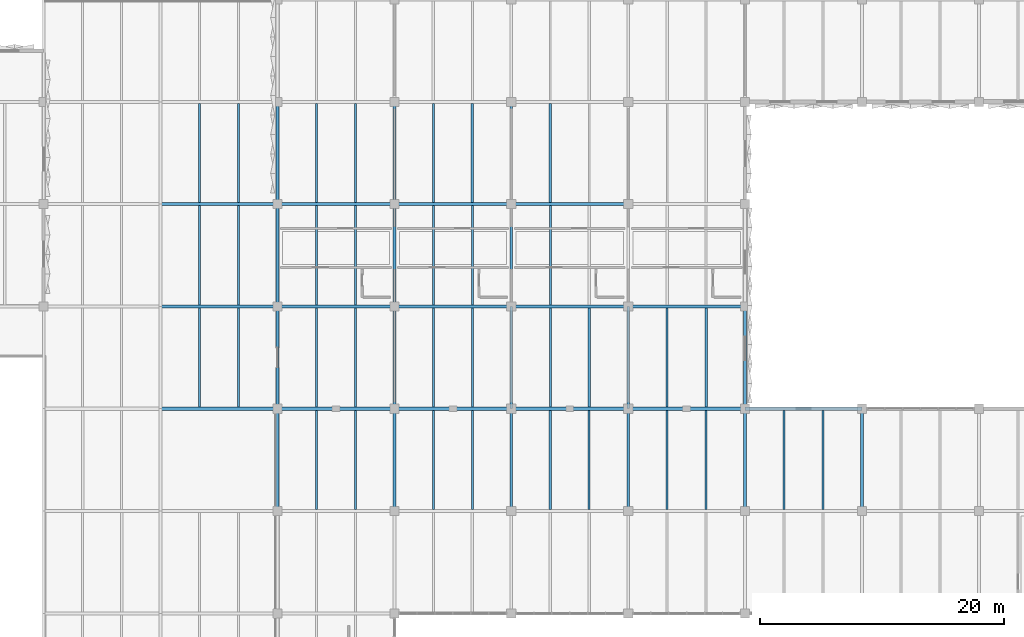
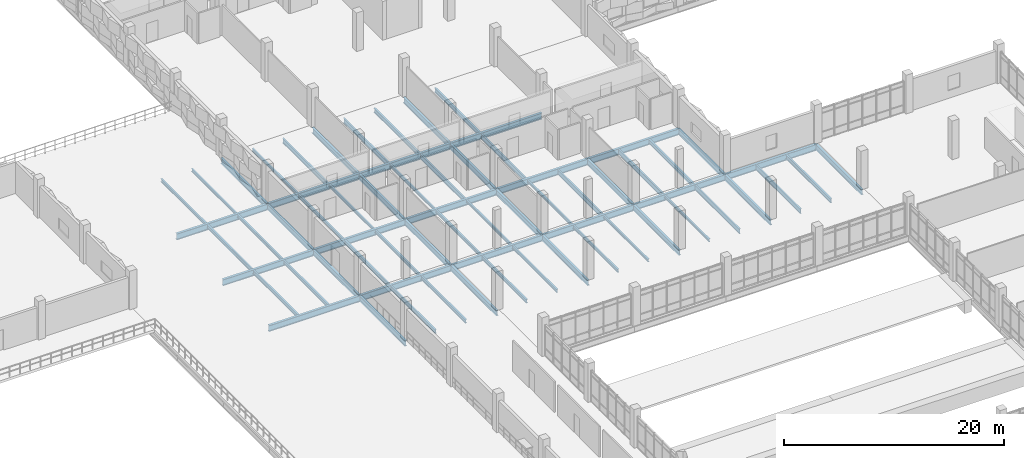
# One storey, part 33 of 86: 66 beams.
"""IFC4 building model written with IfcOpenShell, lengths in metres."""

from ifc_helpers import new_model, si_unit, direction, frame, origin, origin_2d, place, context, subcontext, project, spatial, i_section, extrude, material, material_profile, profile_set, type_object, element, save


model = new_model("IFC4")

# Units and contexts
model_context = context("Model", 3, precision=1e-05, world=origin(), true_north=direction((0.0, 1.0)))
body_context = subcontext(model_context, "Body", "Model", "MODEL_VIEW")
ifc_project = project(units=[si_unit("LENGTHUNIT", "METRE"), si_unit("AREAUNIT", "SQUARE_METRE"), si_unit("VOLUMEUNIT", "CUBIC_METRE"), si_unit("PLANEANGLEUNIT", "RADIAN"), si_unit("MASSUNIT", "GRAM", prefix="KILO")], contexts=[model_context])

# Site, building, storey
site_placement = place(None, origin())
site = spatial("IfcSite", under=ifc_project, at=site_placement, CompositionType="ELEMENT")
building_placement = place(site_placement, origin())
building = spatial("IfcBuilding", under=site, at=building_placement, Name="Oolite Switchyard Hospital", CompositionType="ELEMENT")
storey_placement = place(building_placement, frame((0.0, 0.0, 13.5)))
storey = spatial("IfcBuildingStorey", under=building, at=storey_placement, Name="L03", CompositionType="ELEMENT", Elevation=13.5)

# Beams
ifc_material = material(Name="Steel ASTM A992 Grade 50", Category="steel")
ifc_material_profile_1 = material_profile(ifc_material, i_section(OverallWidth=0.1650390625, OverallDepth=0.31005859375, WebThickness=0.006103515625, FlangeThickness=0.010009765625, at=origin_2d()), Name="W12X26")
ifc_profile_set_1 = profile_set([ifc_material_profile_1], Name="Steel ASTM A992 Grade 50")
beam_type_1 = type_object("IfcBeamType", Name="BM-W12X26", PredefinedType="JOIST", material=ifc_profile_set_1)
for number, where, z_axis, x_axis, name in (
    (1, (131.199951171875, 92.527099609375, -0.445068359375), (0.0, 1.0, 0.0), (-1.0, 0.0, 0.0), "L03 Secondary Steel Joist 2585"),
    (2, (140.800048828125, 84.126953125, -0.429931640625), (0.0, 1.0, 0.0), (-1.0, 0.0, 0.0), "L03 Secondary Steel Joist 2607"),
    (3, (137.60009765625, 92.527099609375, -0.429931640625), (0.0, 1.0, 0.0), (-1.0, 0.0, 0.0), "L03 Secondary Steel Joist 2608"),
    (4, (150.39990234375, 75.72705078125, -0.429931640625), (0.0, 1.0, 0.0), (-1.0, 0.0, 0.0), "L03 Secondary Steel Joist 2625"),
    (5, (147.199951171875, 84.126953125, -0.429931640625), (0.0, 1.0, 0.0), (-1.0, 0.0, 0.0), "L03 Secondary Steel Joist 2626"),
    (6, (160.0, 67.326904296875, -0.429931640625), (0.0, 1.0, 0.0), (-1.0, 0.0, 0.0), "L03 Secondary Steel Joist 2645"),
    (7, (156.800048828125, 75.72705078125, -0.429931640625), (0.0, 1.0, 0.0), (-1.0, 0.0, 0.0), "L03 Secondary Steel Joist 2646"),
    (8, (166.39990234375, 67.326904296875, -0.429931640625), (0.0, 1.0, 0.0), (-1.0, 0.0, 0.0), "L03 Secondary Steel Joist 2664"),
):
    element("IfcBeam", number, at=place(storey_placement, frame(where, z_axis=z_axis, x_axis=x_axis)), inside=storey, type_object=beam_type_1, Name=name, PredefinedType="JOIST", context=body_context, shape_type="SweptSolid", body=[
        extrude(i_section(OverallWidth=0.1650390625, OverallDepth=0.31005859375, WebThickness=0.006103515625, FlangeThickness=0.010009765625, at=origin_2d()), origin(), (0.0, 0.0, 1.0), 8.14599609375),
    ])
ifc_material_profile_2 = material_profile(ifc_material, i_section(OverallWidth=0.1708984375, OverallDepth=0.35107421875, WebThickness=0.007080078125, FlangeThickness=0.010009765625, at=origin_2d()), Name="W14X30")
ifc_profile_set_2 = profile_set([ifc_material_profile_2], Name="Steel ASTM A992 Grade 50")
beam_type_2 = type_object("IfcBeamType", Name="BM-W14X30", PredefinedType="JOIST", material=ifc_profile_set_2)
for number, where, z_axis, x_axis, name in (
    (9, (131.199951171875, 84.126953125, -0.465087890625), (0.0, 1.0, 0.0), (-1.0, 0.0, 0.0), "L03 Secondary Steel Joist 2583"),
    (10, (128.0, 92.527099609375, -0.465087890625), (0.0, 1.0, 0.0), (-1.0, 0.0, 0.0), "L03 Secondary Steel Joist 2584"),
    (11, (140.800048828125, 75.72705078125, -0.449951171875), (0.0, 1.0, 0.0), (-1.0, 0.0, 0.0), "L03 Secondary Steel Joist 2605"),
    (12, (137.60009765625, 84.126953125, -0.449951171875), (0.0, 1.0, 0.0), (-1.0, 0.0, 0.0), "L03 Secondary Steel Joist 2606"),
    (13, (150.39990234375, 67.326904296875, -0.449951171875), (0.0, 1.0, 0.0), (-1.0, 0.0, 0.0), "L03 Secondary Steel Joist 2623"),
    (14, (147.199951171875, 75.72705078125, -0.449951171875), (0.0, 1.0, 0.0), (-1.0, 0.0, 0.0), "L03 Secondary Steel Joist 2624"),
    (15, (156.800048828125, 67.326904296875, -0.449951171875), (0.0, 1.0, 0.0), (-1.0, 0.0, 0.0), "L03 Secondary Steel Joist 2644"),
):
    element("IfcBeam", number, at=place(storey_placement, frame(where, z_axis=z_axis, x_axis=x_axis)), inside=storey, type_object=beam_type_2, Name=name, PredefinedType="JOIST", context=body_context, shape_type="SweptSolid", body=[
        extrude(i_section(OverallWidth=0.1708984375, OverallDepth=0.35107421875, WebThickness=0.007080078125, FlangeThickness=0.010009765625, at=origin_2d()), origin(), (0.0, 0.0, 1.0), 8.14599609375),
    ])
ifc_material_profile_3 = material_profile(ifc_material, i_section(OverallWidth=0.177978515625, OverallDepth=0.403076171875, WebThickness=0.008056640625, FlangeThickness=0.010986328125, at=origin_2d()), Name="W16X36")
ifc_profile_set_3 = profile_set([ifc_material_profile_3], Name="Steel ASTM A992 Grade 50")
beam_type_3 = type_object("IfcBeamType", Name="BM-W16X36", PredefinedType="JOIST", material=ifc_profile_set_3)
for number, where, z_axis, x_axis, name in (
    (16, (131.199951171875, 75.72705078125, -0.490966796875), (0.0, 1.0, 0.0), (-1.0, 0.0, 0.0), "L03 Secondary Steel Joist 2581"),
    (17, (128.0, 84.126953125, -0.490966796875), (0.0, 1.0, 0.0), (-1.0, 0.0, 0.0), "L03 Secondary Steel Joist 2582"),
    (18, (140.800048828125, 67.326904296875, -0.47607421875), (0.0, 1.0, 0.0), (-1.0, 0.0, 0.0), "L03 Secondary Steel Joist 2603"),
    (19, (137.60009765625, 75.72705078125, -0.47607421875), (0.0, 1.0, 0.0), (-1.0, 0.0, 0.0), "L03 Secondary Steel Joist 2604"),
    (20, (147.199951171875, 67.326904296875, -0.47607421875), (0.0, 1.0, 0.0), (-1.0, 0.0, 0.0), "L03 Secondary Steel Joist 2622"),
):
    element("IfcBeam", number, at=place(storey_placement, frame(where, z_axis=z_axis, x_axis=x_axis)), inside=storey, type_object=beam_type_3, Name=name, PredefinedType="JOIST", context=body_context, shape_type="SweptSolid", body=[
        extrude(i_section(OverallWidth=0.177978515625, OverallDepth=0.403076171875, WebThickness=0.008056640625, FlangeThickness=0.010986328125, at=origin_2d()), origin(), (0.0, 0.0, 1.0), 8.14599609375),
    ])
ifc_material_profile_4 = material_profile(ifc_material, i_section(OverallWidth=0.179931640625, OverallDepth=0.4130859375, WebThickness=0.010009765625, FlangeThickness=0.01611328125, at=origin_2d()), Name="W16X50")
ifc_profile_set_4 = profile_set([ifc_material_profile_4], Name="Steel ASTM A992 Grade 50")
beam_type_4 = type_object("IfcBeamType", Name="BM-W16X50", PredefinedType="JOIST", material=ifc_profile_set_4)
for number, where, z_axis, x_axis, name in (
    (21, (128.0, 75.72705078125, -0.49609375), (0.0, 1.0, 0.0), (-1.0, 0.0, 0.0), "L03 Secondary Steel Joist 2580"),
    (22, (137.60009765625, 67.326904296875, -0.48193359375), (0.0, 1.0, 0.0), (-1.0, 0.0, 0.0), "L03 Secondary Steel Joist 2602"),
):
    element("IfcBeam", number, at=place(storey_placement, frame(where, z_axis=z_axis, x_axis=x_axis)), inside=storey, type_object=beam_type_4, Name=name, PredefinedType="JOIST", context=body_context, shape_type="SweptSolid", body=[
        extrude(i_section(OverallWidth=0.179931640625, OverallDepth=0.4130859375, WebThickness=0.010009765625, FlangeThickness=0.01611328125, at=origin_2d()), origin(), (0.0, 0.0, 1.0), 8.14599609375),
    ])
ifc_material_profile_5 = material_profile(ifc_material, i_section(OverallWidth=0.19091796875, OverallDepth=0.4599609375, WebThickness=0.010009765625, FlangeThickness=0.01611328125, at=origin_2d()), Name="W18X55")
ifc_profile_set_5 = profile_set([ifc_material_profile_5], Name="Steel ASTM A992 Grade 50")
beam_type_5 = type_object("IfcBeamType", Name="BM-W18X55", PredefinedType="JOIST", material=ifc_profile_set_5)
for number, where, z_axis, x_axis, name in (
    (23, (150.39990234375, 92.527099609375, -0.5048828125), (0.0, 1.0, 0.0), (-1.0, 0.0, 0.0), "L03 Secondary Steel Joist 2629"),
    (24, (156.800048828125, 92.527099609375, -0.5048828125), (0.0, 1.0, 0.0), (-1.0, 0.0, 0.0), "L03 Secondary Steel Joist 2650"),
    (25, (169.60009765625, 75.72705078125, -0.5048828125), (0.0, 1.0, 0.0), (-1.0, 0.0, 0.0), "L03 Secondary Steel Joist 2667"),
    (26, (179.199951171875, 67.326904296875, -0.5048828125), (0.0, 1.0, 0.0), (-1.0, 0.0, 0.0), "L03 Secondary Steel Joist 2685"),
):
    element("IfcBeam", number, at=place(storey_placement, frame(where, z_axis=z_axis, x_axis=x_axis)), inside=storey, type_object=beam_type_5, Name=name, PredefinedType="JOIST", context=body_context, shape_type="SweptSolid", body=[
        extrude(i_section(OverallWidth=0.19091796875, OverallDepth=0.4599609375, WebThickness=0.010009765625, FlangeThickness=0.01611328125, at=origin_2d()), origin(), (0.0, 0.0, 1.0), 8.14599609375),
    ])
ifc_material_profile_6 = material_profile(ifc_material, i_section(OverallWidth=0.166015625, OverallDepth=0.529052734375, WebThickness=0.010009765625, FlangeThickness=0.013916015625, at=origin_2d()), Name="W21X50")
ifc_profile_set_6 = profile_set([ifc_material_profile_6], Name="Steel ASTM A992 Grade 50")
beam_type_6 = type_object("IfcBeamType", Name="BM-W21X50", PredefinedType="JOIST", material=ifc_profile_set_6)
for number, where, z_axis, x_axis, name in (
    (27, (140.800048828125, 92.527099609375, -0.5400390625), (0.0, 1.0, 0.0), (-1.0, 0.0, 0.0), "L03 Secondary Steel Joist 2609"),
    (28, (150.39990234375, 84.126953125, -0.5400390625), (0.0, 1.0, 0.0), (-1.0, 0.0, 0.0), "L03 Secondary Steel Joist 2627"),
    (29, (147.199951171875, 92.527099609375, -0.5400390625), (0.0, 1.0, 0.0), (-1.0, 0.0, 0.0), "L03 Secondary Steel Joist 2628"),
    (30, (160.0, 75.72705078125, -0.5400390625), (0.0, 1.0, 0.0), (-1.0, 0.0, 0.0), "L03 Secondary Steel Joist 2647"),
    (31, (156.800048828125, 84.126953125, -0.5400390625), (0.0, 1.0, 0.0), (-1.0, 0.0, 0.0), "L03 Secondary Steel Joist 2648"),
    (32, (169.60009765625, 67.326904296875, -0.5400390625), (0.0, 1.0, 0.0), (-1.0, 0.0, 0.0), "L03 Secondary Steel Joist 2665"),
    (33, (166.39990234375, 75.72705078125, -0.5400390625), (0.0, 1.0, 0.0), (-1.0, 0.0, 0.0), "L03 Secondary Steel Joist 2666"),
    (34, (176.0, 67.326904296875, -0.5400390625), (0.0, 1.0, 0.0), (-1.0, 0.0, 0.0), "L03 Secondary Steel Joist 2684"),
):
    element("IfcBeam", number, at=place(storey_placement, frame(where, z_axis=z_axis, x_axis=x_axis)), inside=storey, type_object=beam_type_6, Name=name, PredefinedType="JOIST", context=body_context, shape_type="SweptSolid", body=[
        extrude(i_section(OverallWidth=0.166015625, OverallDepth=0.529052734375, WebThickness=0.010009765625, FlangeThickness=0.013916015625, at=origin_2d()), origin(), (0.0, 0.0, 1.0), 8.14599609375),
    ])
ifc_material_profile_7 = material_profile(ifc_material, i_section(OverallWidth=0.22900390625, OverallDepth=0.612060546875, WebThickness=0.011962890625, FlangeThickness=0.02001953125, at=origin_2d()), Name="W24X84")
ifc_profile_set_7 = profile_set([ifc_material_profile_7], Name="Steel ASTM A992 Grade 50")
beam_type_7 = type_object("IfcBeamType", Name="BM-W24X84", PredefinedType="BEAM", material=ifc_profile_set_7)
beam_1_placement = place(storey_placement, frame((134.39990234375, 67.199951171875, -0.595947265625), z_axis=(0.0, 1.0, 0.0), x_axis=(-1.0, 0.0, 0.0)))
element("IfcBeam", 35, at=beam_1_placement, inside=storey, type_object=beam_type_7, Name="L03 Y-Girder 2287", PredefinedType="BEAM", context=body_context, shape_type="SweptSolid", body=[
    extrude(i_section(OverallWidth=0.22900390625, OverallDepth=0.612060546875, WebThickness=0.011962890625, FlangeThickness=0.02001953125, at=origin_2d()), origin(), (0.0, 0.0, 1.0), 8.400146484375),
])
for number, where, z_axis, x_axis, name in (
    (36, (134.39990234375, 75.60009765625, -0.595947265625), (0.0, 1.0, 0.0), (-1.0, 0.0, 0.0), "L03 Y-Girder 2288"),
    (37, (134.39990234375, 84.0, -0.595947265625), (0.0, 1.0, 0.0), (-1.0, 0.0, 0.0), "L03 Y-Girder 2289"),
):
    element("IfcBeam", number, at=place(storey_placement, frame(where, z_axis=z_axis, x_axis=x_axis)), inside=storey, type_object=beam_type_7, Name=name, PredefinedType="BEAM", context=body_context, shape_type="SweptSolid", body=[
        extrude(i_section(OverallWidth=0.22900390625, OverallDepth=0.612060546875, WebThickness=0.011962890625, FlangeThickness=0.02001953125, at=origin_2d()), origin(), (0.0, 0.0, 1.0), 8.39990234375),
    ])
for number, where, z_axis, x_axis, name in (
    (38, (134.39990234375, 92.39990234375, -0.595947265625), (0.0, 1.0, 0.0), (-1.0, 0.0, 0.0), "L03 Y-Girder 2290"),
    (39, (144.0, 67.199951171875, -0.5810546875), (0.0, 1.0, 0.0), (-1.0, 0.0, 0.0), "L03 Y-Girder 2302"),
):
    element("IfcBeam", number, at=place(storey_placement, frame(where, z_axis=z_axis, x_axis=x_axis)), inside=storey, type_object=beam_type_7, Name=name, PredefinedType="BEAM", context=body_context, shape_type="SweptSolid", body=[
        extrude(i_section(OverallWidth=0.22900390625, OverallDepth=0.612060546875, WebThickness=0.011962890625, FlangeThickness=0.02001953125, at=origin_2d()), origin(), (0.0, 0.0, 1.0), 8.400146484375),
    ])
for number, where, z_axis, x_axis, name in (
    (40, (144.0, 75.60009765625, -0.5810546875), (0.0, 1.0, 0.0), (-1.0, 0.0, 0.0), "L03 Y-Girder 2303"),
    (41, (144.0, 84.0, -0.5810546875), (0.0, 1.0, 0.0), (-1.0, 0.0, 0.0), "L03 Y-Girder 2304"),
):
    element("IfcBeam", number, at=place(storey_placement, frame(where, z_axis=z_axis, x_axis=x_axis)), inside=storey, type_object=beam_type_7, Name=name, PredefinedType="BEAM", context=body_context, shape_type="SweptSolid", body=[
        extrude(i_section(OverallWidth=0.22900390625, OverallDepth=0.612060546875, WebThickness=0.011962890625, FlangeThickness=0.02001953125, at=origin_2d()), origin(), (0.0, 0.0, 1.0), 8.39990234375),
    ])
for number, where, z_axis, x_axis, name in (
    (42, (144.0, 92.39990234375, -0.5810546875), (0.0, 1.0, 0.0), (-1.0, 0.0, 0.0), "L03 Y-Girder 2305"),
    (43, (153.60009765625, 67.199951171875, -0.5810546875), (0.0, 1.0, 0.0), (-1.0, 0.0, 0.0), "L03 Y-Girder 2315"),
):
    element("IfcBeam", number, at=place(storey_placement, frame(where, z_axis=z_axis, x_axis=x_axis)), inside=storey, type_object=beam_type_7, Name=name, PredefinedType="BEAM", context=body_context, shape_type="SweptSolid", body=[
        extrude(i_section(OverallWidth=0.22900390625, OverallDepth=0.612060546875, WebThickness=0.011962890625, FlangeThickness=0.02001953125, at=origin_2d()), origin(), (0.0, 0.0, 1.0), 8.400146484375),
    ])
for number, where, z_axis, x_axis, name in (
    (44, (153.60009765625, 75.60009765625, -0.5810546875), (0.0, 1.0, 0.0), (-1.0, 0.0, 0.0), "L03 Y-Girder 2316"),
    (45, (153.60009765625, 84.0, -0.5810546875), (0.0, 1.0, 0.0), (-1.0, 0.0, 0.0), "L03 Y-Girder 2317"),
):
    element("IfcBeam", number, at=place(storey_placement, frame(where, z_axis=z_axis, x_axis=x_axis)), inside=storey, type_object=beam_type_7, Name=name, PredefinedType="BEAM", context=body_context, shape_type="SweptSolid", body=[
        extrude(i_section(OverallWidth=0.22900390625, OverallDepth=0.612060546875, WebThickness=0.011962890625, FlangeThickness=0.02001953125, at=origin_2d()), origin(), (0.0, 0.0, 1.0), 8.39990234375),
    ])
for number, where, z_axis, x_axis, name in (
    (46, (153.60009765625, 92.39990234375, -0.5810546875), (0.0, 1.0, 0.0), (-1.0, 0.0, 0.0), "L03 Y-Girder 2318"),
    (47, (163.199951171875, 67.199951171875, -0.5810546875), (0.0, 1.0, 0.0), (-1.0, 0.0, 0.0), "L03 Y-Girder 2327"),
):
    element("IfcBeam", number, at=place(storey_placement, frame(where, z_axis=z_axis, x_axis=x_axis)), inside=storey, type_object=beam_type_7, Name=name, PredefinedType="BEAM", context=body_context, shape_type="SweptSolid", body=[
        extrude(i_section(OverallWidth=0.22900390625, OverallDepth=0.612060546875, WebThickness=0.011962890625, FlangeThickness=0.02001953125, at=origin_2d()), origin(), (0.0, 0.0, 1.0), 8.400146484375),
    ])
beam_2_placement = place(storey_placement, frame((163.199951171875, 75.60009765625, -0.5810546875), z_axis=(0.0, 1.0, 0.0), x_axis=(-1.0, 0.0, 0.0)))
element("IfcBeam", 48, at=beam_2_placement, inside=storey, type_object=beam_type_7, Name="L03 Y-Girder 2328", PredefinedType="BEAM", context=body_context, shape_type="SweptSolid", body=[
    extrude(i_section(OverallWidth=0.22900390625, OverallDepth=0.612060546875, WebThickness=0.011962890625, FlangeThickness=0.02001953125, at=origin_2d()), origin(), (0.0, 0.0, 1.0), 8.39990234375),
])
beam_3_placement = place(storey_placement, frame((172.800048828125, 67.199951171875, -0.5810546875), z_axis=(0.0, 1.0, 0.0), x_axis=(-1.0, 0.0, 0.0)))
element("IfcBeam", 49, at=beam_3_placement, inside=storey, type_object=beam_type_7, Name="L03 Y-Girder 2338", PredefinedType="BEAM", context=body_context, shape_type="SweptSolid", body=[
    extrude(i_section(OverallWidth=0.22900390625, OverallDepth=0.612060546875, WebThickness=0.011962890625, FlangeThickness=0.02001953125, at=origin_2d()), origin(), (0.0, 0.0, 1.0), 8.400146484375),
])
beam_4_placement = place(storey_placement, frame((172.800048828125, 75.60009765625, -0.5810546875), z_axis=(0.0, 1.0, 0.0), x_axis=(-1.0, 0.0, 0.0)))
element("IfcBeam", 50, at=beam_4_placement, inside=storey, type_object=beam_type_7, Name="L03 Y-Girder 2339", PredefinedType="BEAM", context=body_context, shape_type="SweptSolid", body=[
    extrude(i_section(OverallWidth=0.22900390625, OverallDepth=0.612060546875, WebThickness=0.011962890625, FlangeThickness=0.02001953125, at=origin_2d()), origin(), (0.0, 0.0, 1.0), 8.39990234375),
])
beam_5_placement = place(storey_placement, frame((182.39990234375, 67.199951171875, -0.5810546875), z_axis=(0.0, 1.0, 0.0), x_axis=(-1.0, 0.0, 0.0)))
element("IfcBeam", 51, at=beam_5_placement, inside=storey, type_object=beam_type_7, Name="L03 Y-Girder 2355", PredefinedType="BEAM", context=body_context, shape_type="SweptSolid", body=[
    extrude(i_section(OverallWidth=0.22900390625, OverallDepth=0.612060546875, WebThickness=0.011962890625, FlangeThickness=0.02001953125, at=origin_2d()), origin(), (0.0, 0.0, 1.0), 8.400146484375),
])
ifc_material_profile_8 = material_profile(ifc_material, i_section(OverallWidth=0.25390625, OverallDepth=0.68408203125, WebThickness=0.011962890625, FlangeThickness=0.01904296875, at=origin_2d()), Name="W27X94")
ifc_profile_set_8 = profile_set([ifc_material_profile_8], Name="Steel ASTM A992 Grade 50")
beam_type_8 = type_object("IfcBeamType", Name="BM-W27X94", PredefinedType="BEAM", material=ifc_profile_set_8)
beam_6_placement = place(storey_placement, frame((124.800048828125, 75.60009765625, -0.632080078125), z_axis=(1.0, 0.0, 0.0), x_axis=(0.0, 1.0, 0.0)))
element("IfcBeam", 52, at=beam_6_placement, inside=storey, type_object=beam_type_8, Name="L03 X-Girder 2030", PredefinedType="BEAM", context=body_context, shape_type="SweptSolid", body=[
    extrude(i_section(OverallWidth=0.25390625, OverallDepth=0.68408203125, WebThickness=0.011962890625, FlangeThickness=0.01904296875, at=origin_2d()), origin(), (0.0, 0.0, 1.0), 9.599853515625),
])
for number, where, z_axis, x_axis, name in (
    (53, (134.39990234375, 75.60009765625, -0.616943359375), (1.0, 0.0, 0.0), (0.0, 1.0, 0.0), "L03 X-Girder 2031"),
    (54, (144.0, 75.60009765625, -0.616943359375), (1.0, 0.0, 0.0), (0.0, 1.0, 0.0), "L03 X-Girder 2032"),
):
    element("IfcBeam", number, at=place(storey_placement, frame(where, z_axis=z_axis, x_axis=x_axis)), inside=storey, type_object=beam_type_8, Name=name, PredefinedType="BEAM", context=body_context, shape_type="SweptSolid", body=[
        extrude(i_section(OverallWidth=0.25390625, OverallDepth=0.68408203125, WebThickness=0.011962890625, FlangeThickness=0.01904296875, at=origin_2d()), origin(), (0.0, 0.0, 1.0), 9.60009765625),
    ])
beam_7_placement = place(storey_placement, frame((153.60009765625, 75.60009765625, -0.616943359375), z_axis=(1.0, 0.0, 0.0), x_axis=(0.0, 1.0, 0.0)))
element("IfcBeam", 55, at=beam_7_placement, inside=storey, type_object=beam_type_8, Name="L03 X-Girder 2033", PredefinedType="BEAM", context=body_context, shape_type="SweptSolid", body=[
    extrude(i_section(OverallWidth=0.25390625, OverallDepth=0.68408203125, WebThickness=0.011962890625, FlangeThickness=0.01904296875, at=origin_2d()), origin(), (0.0, 0.0, 1.0), 9.599853515625),
])
beam_8_placement = place(storey_placement, frame((163.199951171875, 75.60009765625, -0.616943359375), z_axis=(1.0, 0.0, 0.0), x_axis=(0.0, 1.0, 0.0)))
element("IfcBeam", 56, at=beam_8_placement, inside=storey, type_object=beam_type_8, Name="L03 X-Girder 2034", PredefinedType="BEAM", context=body_context, shape_type="SweptSolid", body=[
    extrude(i_section(OverallWidth=0.25390625, OverallDepth=0.68408203125, WebThickness=0.011962890625, FlangeThickness=0.01904296875, at=origin_2d()), origin(), (0.0, 0.0, 1.0), 9.60009765625),
])
for number, where, z_axis, x_axis, name in (
    (57, (172.800048828125, 75.60009765625, -0.616943359375), (1.0, 0.0, 0.0), (0.0, 1.0, 0.0), "L03 X-Girder 2035"),
    (58, (124.800048828125, 84.0, -0.632080078125), (1.0, 0.0, 0.0), (0.0, 1.0, 0.0), "L03 X-Girder 2051"),
):
    element("IfcBeam", number, at=place(storey_placement, frame(where, z_axis=z_axis, x_axis=x_axis)), inside=storey, type_object=beam_type_8, Name=name, PredefinedType="BEAM", context=body_context, shape_type="SweptSolid", body=[
        extrude(i_section(OverallWidth=0.25390625, OverallDepth=0.68408203125, WebThickness=0.011962890625, FlangeThickness=0.01904296875, at=origin_2d()), origin(), (0.0, 0.0, 1.0), 9.599853515625),
    ])
for number, where, z_axis, x_axis, name in (
    (59, (134.39990234375, 84.0, -0.616943359375), (1.0, 0.0, 0.0), (0.0, 1.0, 0.0), "L03 X-Girder 2052"),
    (60, (144.0, 84.0, -0.616943359375), (1.0, 0.0, 0.0), (0.0, 1.0, 0.0), "L03 X-Girder 2053"),
):
    element("IfcBeam", number, at=place(storey_placement, frame(where, z_axis=z_axis, x_axis=x_axis)), inside=storey, type_object=beam_type_8, Name=name, PredefinedType="BEAM", context=body_context, shape_type="SweptSolid", body=[
        extrude(i_section(OverallWidth=0.25390625, OverallDepth=0.68408203125, WebThickness=0.011962890625, FlangeThickness=0.01904296875, at=origin_2d()), origin(), (0.0, 0.0, 1.0), 9.60009765625),
    ])
beam_9_placement = place(storey_placement, frame((153.60009765625, 84.0, -0.616943359375), z_axis=(1.0, 0.0, 0.0), x_axis=(0.0, 1.0, 0.0)))
element("IfcBeam", 61, at=beam_9_placement, inside=storey, type_object=beam_type_8, Name="L03 X-Girder 2054", PredefinedType="BEAM", context=body_context, shape_type="SweptSolid", body=[
    extrude(i_section(OverallWidth=0.25390625, OverallDepth=0.68408203125, WebThickness=0.011962890625, FlangeThickness=0.01904296875, at=origin_2d()), origin(), (0.0, 0.0, 1.0), 9.599853515625),
])
beam_10_placement = place(storey_placement, frame((163.199951171875, 84.0, -0.616943359375), z_axis=(1.0, 0.0, 0.0), x_axis=(0.0, 1.0, 0.0)))
element("IfcBeam", 62, at=beam_10_placement, inside=storey, type_object=beam_type_8, Name="L03 X-Girder 2055", PredefinedType="BEAM", context=body_context, shape_type="SweptSolid", body=[
    extrude(i_section(OverallWidth=0.25390625, OverallDepth=0.68408203125, WebThickness=0.011962890625, FlangeThickness=0.01904296875, at=origin_2d()), origin(), (0.0, 0.0, 1.0), 9.60009765625),
])
beam_11_placement = place(storey_placement, frame((124.800048828125, 92.39990234375, -0.632080078125), z_axis=(1.0, 0.0, 0.0), x_axis=(0.0, 1.0, 0.0)))
element("IfcBeam", 63, at=beam_11_placement, inside=storey, type_object=beam_type_8, Name="L03 X-Girder 2069", PredefinedType="BEAM", context=body_context, shape_type="SweptSolid", body=[
    extrude(i_section(OverallWidth=0.25390625, OverallDepth=0.68408203125, WebThickness=0.011962890625, FlangeThickness=0.01904296875, at=origin_2d()), origin(), (0.0, 0.0, 1.0), 9.599853515625),
])
for number, where, z_axis, x_axis, name in (
    (64, (134.39990234375, 92.39990234375, -0.616943359375), (1.0, 0.0, 0.0), (0.0, 1.0, 0.0), "L03 X-Girder 2070"),
    (65, (144.0, 92.39990234375, -0.616943359375), (1.0, 0.0, 0.0), (0.0, 1.0, 0.0), "L03 X-Girder 2071"),
):
    element("IfcBeam", number, at=place(storey_placement, frame(where, z_axis=z_axis, x_axis=x_axis)), inside=storey, type_object=beam_type_8, Name=name, PredefinedType="BEAM", context=body_context, shape_type="SweptSolid", body=[
        extrude(i_section(OverallWidth=0.25390625, OverallDepth=0.68408203125, WebThickness=0.011962890625, FlangeThickness=0.01904296875, at=origin_2d()), origin(), (0.0, 0.0, 1.0), 9.60009765625),
    ])
beam_12_placement = place(storey_placement, frame((153.60009765625, 92.39990234375, -0.616943359375), z_axis=(1.0, 0.0, 0.0), x_axis=(0.0, 1.0, 0.0)))
element("IfcBeam", 66, at=beam_12_placement, inside=storey, type_object=beam_type_8, Name="L03 X-Girder 2072", PredefinedType="BEAM", context=body_context, shape_type="SweptSolid", body=[
    extrude(i_section(OverallWidth=0.25390625, OverallDepth=0.68408203125, WebThickness=0.011962890625, FlangeThickness=0.01904296875, at=origin_2d()), origin(), (0.0, 0.0, 1.0), 9.599853515625),
])

save(model, "model.ifc")
